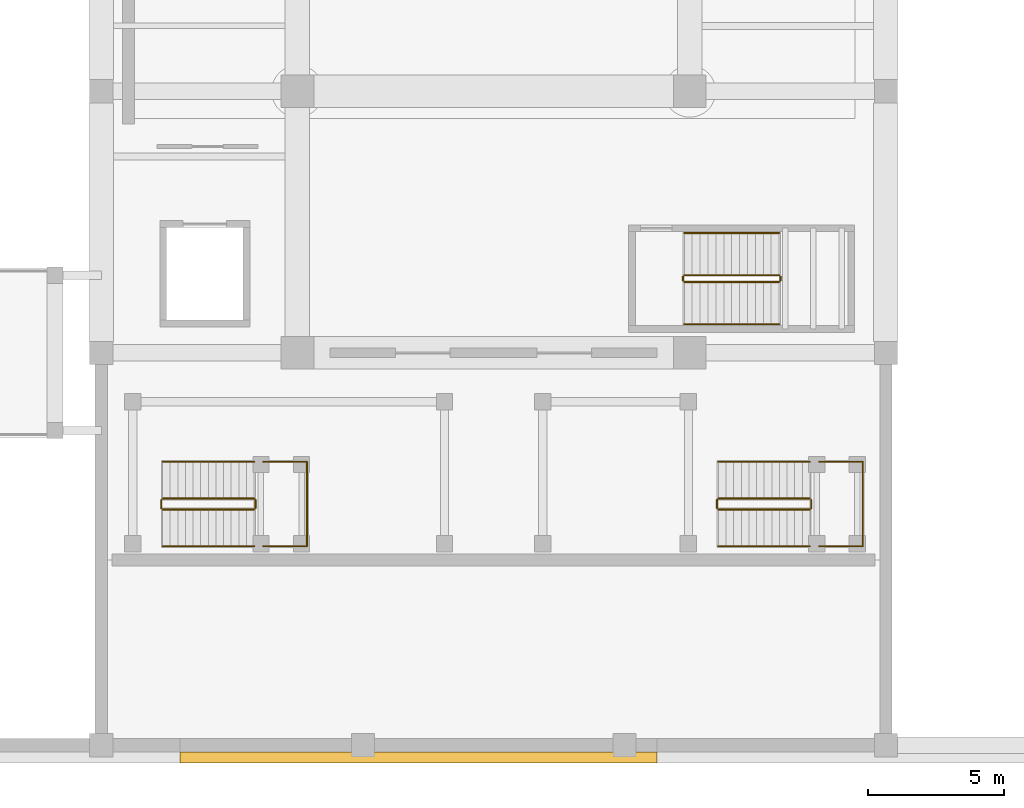
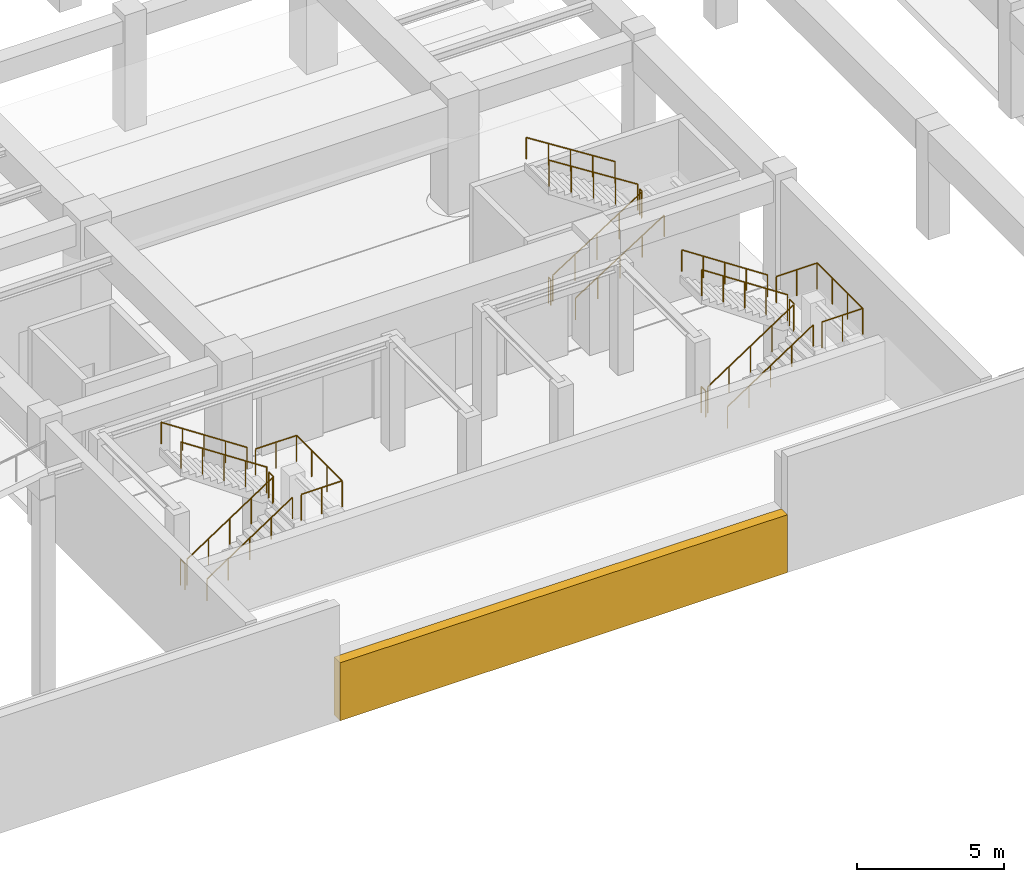
# One storey, part 36 of 45: 24 railings, 1 covering.
"""IFC4 building model written with IfcOpenShell, lengths in metres."""

from ifc_helpers import new_model, si_unit, direction, frame, origin, origin_2d, place, context, subcontext, project, spatial, polyline, circle, outline, extrude, material, layer, layer_set, type_object, element, save


model = new_model("IFC4")

# Units and contexts
model_context = context("Model", 3, precision=1e-05, world=origin(), true_north=direction((0.0, 1.0)))
body_context = subcontext(model_context, "Body", "Model", "MODEL_VIEW")
ifc_project = project(units=[si_unit("LENGTHUNIT", "METRE"), si_unit("AREAUNIT", "SQUARE_METRE"), si_unit("VOLUMEUNIT", "CUBIC_METRE"), si_unit("PLANEANGLEUNIT", "RADIAN"), si_unit("MASSUNIT", "GRAM", prefix="KILO")], contexts=[model_context])

# Site, building, storey
site_placement = place(None, origin())
site = spatial("IfcSite", under=ifc_project, at=site_placement, CompositionType="ELEMENT")
building_placement = place(site_placement, origin())
building = spatial("IfcBuilding", under=site, at=building_placement, Name="Mavantir Sound Aquarium", CompositionType="ELEMENT")
storey_placement = place(building_placement, frame((0.0, 0.0, -4.800048828125)))
storey = spatial("IfcBuildingStorey", under=building, at=storey_placement, Name="B1", CompositionType="ELEMENT", Elevation=-4.800048828125)

# Covering
ifc_material_1 = material(Name="Honed Coral-Limestone & Glazed Terracotta Rainscreen Cladding", Category="masonry")
ifc_layer = layer(ifc_material_1, 0.06005859375, Name="Honed Coral-Limestone & Glazed Terracotta Rainscreen Cladding")
ifc_layer_set = layer_set([ifc_layer], Name="Honed Coral-Limestone & Glazed Terracotta Rainscreen Cladding")
covering_type = type_object("IfcCoveringType", Name="COV-CLAD-TC", PredefinedType="CLADDING", material=ifc_layer_set)
covering_placement = place(storey_placement, origin())
element("IfcCovering", 1, at=covering_placement, inside=storey, type_object=covering_type, Name="B1 rusticated coral-stone plinth cladding 47", PredefinedType="CLADDING", context=body_context, shape_type="SweptSolid", body=[
    extrude(outline(polyline([(70.080078125, -0.25), (87.60009765625, -0.25), (87.60009765625, -0.659912109375), (70.080078125, -0.659912109375), (70.080078125, -0.25)])), origin(), (0.0, 0.0, 1.0), 2.400146484375),
])

# Railings
ifc_material_2 = material(Name="Stainless Steel 316 and Laminated Glass Guardrail", Category="steel")
railing_type_1 = type_object("IfcRailingType", Name="RL-GUARD-110", PredefinedType="GUARDRAIL", material=ifc_material_2)
railing_1_placement = place(storey_placement, frame((88.60009765625, 17.0, 0.1845703125)))
element("IfcRailing", 2, at=railing_1_placement, inside=storey, type_object=railing_type_1, Name="B1 ST11 stair guard 1", PredefinedType="GUARDRAIL", context=body_context, shape_type="SweptSolid", body=[
    extrude(circle(Radius=0.02392578125, at=origin_2d()), frame((0.0, 0.0, 1.076171875), z_axis=(0.843546938479, 0.0, 0.53705545578), x_axis=(0.0, 1.0, 0.0)), (0.0, 0.0, 1.0), 4.12548828125),
    extrude(circle(Radius=0.02099609375, at=origin_2d()), origin(), (0.0, 0.0, 1.0), 1.052001953125),
    extrude(circle(Radius=0.02099609375, at=origin_2d()), frame((0.8701171875, 0.0, 0.553955078125)), (0.0, 0.0, 1.0), 1.052001953125),
    extrude(circle(Radius=0.02099609375, at=origin_2d()), frame((1.739990234375, 0.0, 1.10791015625)), (0.0, 0.0, 1.0), 1.052001953125),
    extrude(circle(Radius=0.02099609375, at=origin_2d()), frame((2.60986328125, 0.0, 1.66162109375)), (0.0, 0.0, 1.0), 1.052001953125),
    extrude(circle(Radius=0.02099609375, at=origin_2d()), frame((3.47998046875, 0.0, 2.215576171875)), (0.0, 0.0, 1.0), 1.052001953125),
])
railing_2_placement = place(storey_placement, frame((92.1298828125, 17.050048828125, 2.400146484375)))
element("IfcRailing", 3, at=railing_2_placement, inside=storey, type_object=railing_type_1, Name="B1 ST11 stair guard 2", PredefinedType="GUARDRAIL", context=body_context, shape_type="SweptSolid", body=[
    extrude(circle(Radius=0.02392578125, at=origin_2d()), frame((0.0, 0.0, 1.076171875), z_axis=(0.0, 1.0, 0.0), x_axis=(-1.0, 0.0, 0.0)), (0.0, 0.0, 1.0), 0.14990234375),
    extrude(circle(Radius=0.02099609375, at=origin_2d()), origin(), (0.0, 0.0, 1.0), 1.052001953125),
    extrude(circle(Radius=0.02099609375, at=origin_2d()), frame((0.0, 0.14990234375, 0.0)), (0.0, 0.0, 1.0), 1.052001953125),
])
railing_3_placement = place(storey_placement, frame((92.080078125, 17.25, 2.584716796875)))
element("IfcRailing", 4, at=railing_3_placement, inside=storey, type_object=railing_type_1, Name="B1 ST11 stair guard 3", PredefinedType="GUARDRAIL", context=body_context, shape_type="SweptSolid", body=[
    extrude(circle(Radius=0.02392578125, at=origin_2d()), frame((0.0, 0.0, 1.076171875), z_axis=(-0.843573748531, 0.0, 0.537013343214), x_axis=(0.0, -1.0, 0.0)), (0.0, 0.0, 1.0), 4.125244140625),
    extrude(circle(Radius=0.02099609375, at=origin_2d()), origin(), (0.0, 0.0, 1.0), 1.052001953125),
    extrude(circle(Radius=0.02099609375, at=origin_2d()), frame((-0.8701171875, 0.0, 0.5537109375)), (0.0, 0.0, 1.0), 1.052001953125),
    extrude(circle(Radius=0.02099609375, at=origin_2d()), frame((-1.739990234375, 0.0, 1.107666015625)), (0.0, 0.0, 1.0), 1.052001953125),
    extrude(circle(Radius=0.02099609375, at=origin_2d()), frame((-2.60986328125, 0.0, 1.66162109375)), (0.0, 0.0, 1.0), 1.052001953125),
    extrude(circle(Radius=0.02099609375, at=origin_2d()), frame((-3.47998046875, 0.0, 2.21533203125)), (0.0, 0.0, 1.0), 1.052001953125),
])
railing_4_placement = place(storey_placement, frame((88.550048828125, 17.050048828125, 0.0)))
element("IfcRailing", 5, at=railing_4_placement, inside=storey, type_object=railing_type_1, Name="B1 ST11 stair guard 4", PredefinedType="GUARDRAIL", context=body_context, shape_type="SweptSolid", body=[
    extrude(circle(Radius=0.02392578125, at=origin_2d()), frame((0.0, 0.0, 1.076171875), z_axis=(0.0, 1.0, 0.0), x_axis=(-1.0, 0.0, 0.0)), (0.0, 0.0, 1.0), 0.14990234375),
    extrude(circle(Radius=0.02099609375, at=origin_2d()), origin(), (0.0, 0.0, 1.0), 1.052001953125),
    extrude(circle(Radius=0.02099609375, at=origin_2d()), frame((0.0, 0.14990234375, 0.0)), (0.0, 0.0, 1.0), 1.052001953125),
])
railing_5_placement = place(storey_placement, frame((69.449951171875, 8.64990234375, 0.1845703125)))
element("IfcRailing", 6, at=railing_5_placement, inside=storey, type_object=railing_type_1, Name="B1 ST13 stair guard 1", PredefinedType="GUARDRAIL", context=body_context, shape_type="SweptSolid", body=[
    extrude(circle(Radius=0.02392578125, at=origin_2d()), frame((0.0, 0.0, 1.076171875), z_axis=(0.834848600103, 0.0, 0.550479622607), x_axis=(0.0, 1.0, 0.0)), (0.0, 0.0, 1.0), 4.02490234375),
    extrude(circle(Radius=0.02099609375, at=origin_2d()), origin(), (0.0, 0.0, 1.0), 1.052001953125),
    extrude(circle(Radius=0.02099609375, at=origin_2d()), frame((0.840087890625, 0.0, 0.553955078125)), (0.0, 0.0, 1.0), 1.052001953125),
    extrude(circle(Radius=0.02099609375, at=origin_2d()), frame((1.68017578125, 0.0, 1.10791015625)), (0.0, 0.0, 1.0), 1.052001953125),
    extrude(circle(Radius=0.02099609375, at=origin_2d()), frame((2.52001953125, 0.0, 1.66162109375)), (0.0, 0.0, 1.0), 1.052001953125),
    extrude(circle(Radius=0.02099609375, at=origin_2d()), frame((3.360107421875, 0.0, 2.215576171875)), (0.0, 0.0, 1.0), 1.052001953125),
])
railing_6_placement = place(storey_placement, frame((72.860107421875, 8.699951171875, 2.400146484375)))
element("IfcRailing", 7, at=railing_6_placement, inside=storey, type_object=railing_type_1, Name="B1 ST13 stair guard 2", PredefinedType="GUARDRAIL", context=body_context, shape_type="SweptSolid", body=[
    extrude(circle(Radius=0.02392578125, at=origin_2d()), frame((0.0, 0.0, 1.076171875), z_axis=(0.0, 1.0, 0.0), x_axis=(-1.0, 0.0, 0.0)), (0.0, 0.0, 1.0), 0.300048828125),
    extrude(circle(Radius=0.02099609375, at=origin_2d()), origin(), (0.0, 0.0, 1.0), 1.052001953125),
    extrude(circle(Radius=0.02099609375, at=origin_2d()), frame((0.0, 0.300048828125, 0.0)), (0.0, 0.0, 1.0), 1.052001953125),
])
railing_7_placement = place(storey_placement, frame((72.81005859375, 9.050048828125, 2.584716796875)))
element("IfcRailing", 8, at=railing_7_placement, inside=storey, type_object=railing_type_1, Name="B1 ST13 stair guard 3", PredefinedType="GUARDRAIL", context=body_context, shape_type="SweptSolid", body=[
    extrude(circle(Radius=0.02392578125, at=origin_2d()), frame((0.0, 0.0, 1.076171875), z_axis=(-0.834876476806, 0.0, 0.550437342915), x_axis=(0.0, -1.0, 0.0)), (0.0, 0.0, 1.0), 4.024658203125),
    extrude(circle(Radius=0.02099609375, at=origin_2d()), origin(), (0.0, 0.0, 1.0), 1.052001953125),
    extrude(circle(Radius=0.02099609375, at=origin_2d()), frame((-0.840087890625, 0.0, 0.5537109375)), (0.0, 0.0, 1.0), 1.052001953125),
    extrude(circle(Radius=0.02099609375, at=origin_2d()), frame((-1.68017578125, 0.0, 1.107666015625)), (0.0, 0.0, 1.0), 1.052001953125),
    extrude(circle(Radius=0.02099609375, at=origin_2d()), frame((-2.52001953125, 0.0, 1.66162109375)), (0.0, 0.0, 1.0), 1.052001953125),
    extrude(circle(Radius=0.02099609375, at=origin_2d()), frame((-3.360107421875, 0.0, 2.21533203125)), (0.0, 0.0, 1.0), 1.052001953125),
])
railing_8_placement = place(storey_placement, frame((69.39990234375, 8.699951171875, 0.0)))
element("IfcRailing", 9, at=railing_8_placement, inside=storey, type_object=railing_type_1, Name="B1 ST13 stair guard 4", PredefinedType="GUARDRAIL", context=body_context, shape_type="SweptSolid", body=[
    extrude(circle(Radius=0.02392578125, at=origin_2d()), frame((0.0, 0.0, 1.076171875), z_axis=(0.0, 1.0, 0.0), x_axis=(-1.0, 0.0, 0.0)), (0.0, 0.0, 1.0), 0.300048828125),
    extrude(circle(Radius=0.02099609375, at=origin_2d()), origin(), (0.0, 0.0, 1.0), 1.052001953125),
    extrude(circle(Radius=0.02099609375, at=origin_2d()), frame((0.0, 0.300048828125, 0.0)), (0.0, 0.0, 1.0), 1.052001953125),
])
railing_9_placement = place(storey_placement, frame((74.75, 7.300048828125, 2.400146484375)))
element("IfcRailing", 10, at=railing_9_placement, inside=storey, type_object=railing_type_1, Name="Forecourt stair ST13 LDE guardrail", PredefinedType="GUARDRAIL", context=body_context, shape_type="SweptSolid", body=[
    extrude(circle(Radius=0.02392578125, at=origin_2d()), frame((0.0, 0.0, 1.076171875), z_axis=(0.0, 1.0, 0.0), x_axis=(-1.0, 0.0, 0.0)), (0.0, 0.0, 1.0), 3.099853515625),
    extrude(circle(Radius=0.02099609375, at=origin_2d()), origin(), (0.0, 0.0, 1.0), 1.052001953125),
    extrude(circle(Radius=0.02099609375, at=origin_2d()), frame((0.0, 1.033203125, 0.0)), (0.0, 0.0, 1.0), 1.052001953125),
    extrude(circle(Radius=0.02099609375, at=origin_2d()), frame((0.0, 2.066650390625, 0.0)), (0.0, 0.0, 1.0), 1.052001953125),
    extrude(circle(Radius=0.02099609375, at=origin_2d()), frame((0.0, 3.099853515625, 0.0)), (0.0, 0.0, 1.0), 1.052001953125),
])
for number, where, name in (
    (11, (73.14990234375, 10.39990234375, 2.400146484375), "Forecourt stair ST13 LDN guardrail"),
    (12, (73.14990234375, 7.300048828125, 2.400146484375), "Forecourt stair ST13 LDS guardrail"),
):
    element("IfcRailing", number, at=place(storey_placement, frame(where)), inside=storey, type_object=railing_type_1, Name=name, PredefinedType="GUARDRAIL", context=body_context, shape_type="SweptSolid", body=[
        extrude(circle(Radius=0.02392578125, at=origin_2d()), frame((0.0, 0.0, 1.076171875), z_axis=(1.0, 0.0, 0.0), x_axis=(0.0, 1.0, 0.0)), (0.0, 0.0, 1.0), 1.60009765625),
        extrude(circle(Radius=0.02099609375, at=origin_2d()), origin(), (0.0, 0.0, 1.0), 1.052001953125),
        extrude(circle(Radius=0.02099609375, at=origin_2d()), frame((0.800048828125, 0.0, 0.0)), (0.0, 0.0, 1.0), 1.052001953125),
        extrude(circle(Radius=0.02099609375, at=origin_2d()), frame((1.60009765625, 0.0, 0.0)), (0.0, 0.0, 1.0), 1.052001953125),
    ])
railing_10_placement = place(storey_placement, frame((89.85009765625, 8.64990234375, 0.1845703125)))
element("IfcRailing", 13, at=railing_10_placement, inside=storey, type_object=railing_type_1, Name="B1 ST14 stair guard 1", PredefinedType="GUARDRAIL", context=body_context, shape_type="SweptSolid", body=[
    extrude(circle(Radius=0.02392578125, at=origin_2d()), frame((0.0, 0.0, 1.076171875), z_axis=(0.83483021737, 0.0, 0.550507500554), x_axis=(0.0, 1.0, 0.0)), (0.0, 0.0, 1.0), 4.024658203125),
    extrude(circle(Radius=0.02099609375, at=origin_2d()), origin(), (0.0, 0.0, 1.0), 1.052001953125),
    extrude(circle(Radius=0.02099609375, at=origin_2d()), frame((0.83984375, 0.0, 0.553955078125)), (0.0, 0.0, 1.0), 1.052001953125),
    extrude(circle(Radius=0.02099609375, at=origin_2d()), frame((1.679931640625, 0.0, 1.10791015625)), (0.0, 0.0, 1.0), 1.052001953125),
    extrude(circle(Radius=0.02099609375, at=origin_2d()), frame((2.52001953125, 0.0, 1.66162109375)), (0.0, 0.0, 1.0), 1.052001953125),
    extrude(circle(Radius=0.02099609375, at=origin_2d()), frame((3.35986328125, 0.0, 2.215576171875)), (0.0, 0.0, 1.0), 1.052001953125),
])
railing_11_placement = place(storey_placement, frame((93.260009765625, 8.699951171875, 2.400146484375)))
element("IfcRailing", 14, at=railing_11_placement, inside=storey, type_object=railing_type_1, Name="B1 ST14 stair guard 2", PredefinedType="GUARDRAIL", context=body_context, shape_type="SweptSolid", body=[
    extrude(circle(Radius=0.02392578125, at=origin_2d()), frame((0.0, 0.0, 1.076171875), z_axis=(0.0, 1.0, 0.0), x_axis=(-1.0, 0.0, 0.0)), (0.0, 0.0, 1.0), 0.300048828125),
    extrude(circle(Radius=0.02099609375, at=origin_2d()), origin(), (0.0, 0.0, 1.0), 1.052001953125),
    extrude(circle(Radius=0.02099609375, at=origin_2d()), frame((0.0, 0.300048828125, 0.0)), (0.0, 0.0, 1.0), 1.052001953125),
])
railing_12_placement = place(storey_placement, frame((93.2099609375, 9.050048828125, 2.584716796875)))
element("IfcRailing", 15, at=railing_12_placement, inside=storey, type_object=railing_type_1, Name="B1 ST14 stair guard 3", PredefinedType="GUARDRAIL", context=body_context, shape_type="SweptSolid", body=[
    extrude(circle(Radius=0.02392578125, at=origin_2d()), frame((0.0, 0.0, 1.076171875), z_axis=(-0.834858096282, 0.0, 0.550465220583), x_axis=(0.0, -1.0, 0.0)), (0.0, 0.0, 1.0), 4.0244140625),
    extrude(circle(Radius=0.02099609375, at=origin_2d()), origin(), (0.0, 0.0, 1.0), 1.052001953125),
    extrude(circle(Radius=0.02099609375, at=origin_2d()), frame((-0.83984375, 0.0, 0.5537109375)), (0.0, 0.0, 1.0), 1.052001953125),
    extrude(circle(Radius=0.02099609375, at=origin_2d()), frame((-1.679931640625, 0.0, 1.107666015625)), (0.0, 0.0, 1.0), 1.052001953125),
    extrude(circle(Radius=0.02099609375, at=origin_2d()), frame((-2.52001953125, 0.0, 1.66162109375)), (0.0, 0.0, 1.0), 1.052001953125),
    extrude(circle(Radius=0.02099609375, at=origin_2d()), frame((-3.35986328125, 0.0, 2.21533203125)), (0.0, 0.0, 1.0), 1.052001953125),
])
railing_13_placement = place(storey_placement, frame((89.800048828125, 8.699951171875, 0.0)))
element("IfcRailing", 16, at=railing_13_placement, inside=storey, type_object=railing_type_1, Name="B1 ST14 stair guard 4", PredefinedType="GUARDRAIL", context=body_context, shape_type="SweptSolid", body=[
    extrude(circle(Radius=0.02392578125, at=origin_2d()), frame((0.0, 0.0, 1.076171875), z_axis=(0.0, 1.0, 0.0), x_axis=(-1.0, 0.0, 0.0)), (0.0, 0.0, 1.0), 0.300048828125),
    extrude(circle(Radius=0.02099609375, at=origin_2d()), origin(), (0.0, 0.0, 1.0), 1.052001953125),
    extrude(circle(Radius=0.02099609375, at=origin_2d()), frame((0.0, 0.300048828125, 0.0)), (0.0, 0.0, 1.0), 1.052001953125),
])
railing_14_placement = place(storey_placement, frame((95.14990234375, 7.300048828125, 2.400146484375)))
element("IfcRailing", 17, at=railing_14_placement, inside=storey, type_object=railing_type_1, Name="Forecourt stair ST14 LDE guardrail", PredefinedType="GUARDRAIL", context=body_context, shape_type="SweptSolid", body=[
    extrude(circle(Radius=0.02392578125, at=origin_2d()), frame((0.0, 0.0, 1.076171875), z_axis=(0.0, 1.0, 0.0), x_axis=(-1.0, 0.0, 0.0)), (0.0, 0.0, 1.0), 3.099853515625),
    extrude(circle(Radius=0.02099609375, at=origin_2d()), origin(), (0.0, 0.0, 1.0), 1.052001953125),
    extrude(circle(Radius=0.02099609375, at=origin_2d()), frame((0.0, 1.033203125, 0.0)), (0.0, 0.0, 1.0), 1.052001953125),
    extrude(circle(Radius=0.02099609375, at=origin_2d()), frame((0.0, 2.066650390625, 0.0)), (0.0, 0.0, 1.0), 1.052001953125),
    extrude(circle(Radius=0.02099609375, at=origin_2d()), frame((0.0, 3.099853515625, 0.0)), (0.0, 0.0, 1.0), 1.052001953125),
])
for number, where, name in (
    (18, (93.550048828125, 10.39990234375, 2.400146484375), "Forecourt stair ST14 LDN guardrail"),
    (19, (93.550048828125, 7.300048828125, 2.400146484375), "Forecourt stair ST14 LDS guardrail"),
):
    element("IfcRailing", number, at=place(storey_placement, frame(where)), inside=storey, type_object=railing_type_1, Name=name, PredefinedType="GUARDRAIL", context=body_context, shape_type="SweptSolid", body=[
        extrude(circle(Radius=0.02392578125, at=origin_2d()), frame((0.0, 0.0, 1.076171875), z_axis=(1.0, 0.0, 0.0), x_axis=(0.0, 1.0, 0.0)), (0.0, 0.0, 1.0), 1.599853515625),
        extrude(circle(Radius=0.02099609375, at=origin_2d()), origin(), (0.0, 0.0, 1.0), 1.052001953125),
        extrude(circle(Radius=0.02099609375, at=origin_2d()), frame((0.7998046875, 0.0, 0.0)), (0.0, 0.0, 1.0), 1.052001953125),
        extrude(circle(Radius=0.02099609375, at=origin_2d()), frame((1.599853515625, 0.0, 0.0)), (0.0, 0.0, 1.0), 1.052001953125),
    ])
ifc_material_3 = material(Name="Brushed Stainless Steel 316 Handrail", Category="steel")
railing_type_2 = type_object("IfcRailingType", Name="RL-HR-90", PredefinedType="HANDRAIL", material=ifc_material_3)
railing_15_placement = place(storey_placement, frame((88.60009765625, 15.449951171875, 0.36962890625)))
element("IfcRailing", 20, at=railing_15_placement, inside=storey, type_object=railing_type_2, Name="B1 ST11 stair handrail 1", PredefinedType="HANDRAIL", context=body_context, shape_type="SweptSolid", body=[
    extrude(circle(Radius=0.02392578125, at=origin_2d()), frame((0.0, 0.0, 0.89111328125), z_axis=(0.843573748531, 0.0, 0.537013343214), x_axis=(0.0, 1.0, 0.0)), (0.0, 0.0, 1.0), 4.125244140625),
    extrude(circle(Radius=0.02099609375, at=origin_2d()), origin(), (0.0, 0.0, 1.0), 0.866943359375),
    extrude(circle(Radius=0.02099609375, at=origin_2d()), frame((0.8701171875, 0.0, 0.5537109375)), (0.0, 0.0, 1.0), 0.866943359375),
    extrude(circle(Radius=0.02099609375, at=origin_2d()), frame((1.739990234375, 0.0, 1.107666015625)), (0.0, 0.0, 1.0), 0.866943359375),
    extrude(circle(Radius=0.02099609375, at=origin_2d()), frame((2.60986328125, 0.0, 1.66162109375)), (0.0, 0.0, 1.0), 0.866943359375),
    extrude(circle(Radius=0.02099609375, at=origin_2d()), frame((3.47998046875, 0.0, 2.21533203125)), (0.0, 0.0, 1.0), 0.866943359375),
])
railing_16_placement = place(storey_placement, frame((92.080078125, 18.800048828125, 2.769775390625)))
element("IfcRailing", 21, at=railing_16_placement, inside=storey, type_object=railing_type_2, Name="B1 ST11 stair handrail 2", PredefinedType="HANDRAIL", context=body_context, shape_type="SweptSolid", body=[
    extrude(circle(Radius=0.02392578125, at=origin_2d()), frame((0.0, 0.0, 0.89111328125), z_axis=(-0.843573748531, 0.0, 0.537013343214), x_axis=(0.0, -1.0, 0.0)), (0.0, 0.0, 1.0), 4.125244140625),
    extrude(circle(Radius=0.02099609375, at=origin_2d()), origin(), (0.0, 0.0, 1.0), 0.866943359375),
    extrude(circle(Radius=0.02099609375, at=origin_2d()), frame((-0.8701171875, 0.0, 0.5537109375)), (0.0, 0.0, 1.0), 0.866943359375),
    extrude(circle(Radius=0.02099609375, at=origin_2d()), frame((-1.739990234375, 0.0, 1.107666015625)), (0.0, 0.0, 1.0), 0.866943359375),
    extrude(circle(Radius=0.02099609375, at=origin_2d()), frame((-2.60986328125, 0.0, 1.66162109375)), (0.0, 0.0, 1.0), 0.866943359375),
    extrude(circle(Radius=0.02099609375, at=origin_2d()), frame((-3.47998046875, 0.0, 2.21533203125)), (0.0, 0.0, 1.0), 0.866943359375),
])
railing_17_placement = place(storey_placement, frame((69.449951171875, 7.300048828125, 0.36962890625)))
element("IfcRailing", 22, at=railing_17_placement, inside=storey, type_object=railing_type_2, Name="B1 ST13 stair handrail 1", PredefinedType="HANDRAIL", context=body_context, shape_type="SweptSolid", body=[
    extrude(circle(Radius=0.02392578125, at=origin_2d()), frame((0.0, 0.0, 0.89111328125), z_axis=(0.834876476806, 0.0, 0.550437342915), x_axis=(0.0, 1.0, 0.0)), (0.0, 0.0, 1.0), 4.024658203125),
    extrude(circle(Radius=0.02099609375, at=origin_2d()), origin(), (0.0, 0.0, 1.0), 0.866943359375),
    extrude(circle(Radius=0.02099609375, at=origin_2d()), frame((0.840087890625, 0.0, 0.5537109375)), (0.0, 0.0, 1.0), 0.866943359375),
    extrude(circle(Radius=0.02099609375, at=origin_2d()), frame((1.68017578125, 0.0, 1.107666015625)), (0.0, 0.0, 1.0), 0.866943359375),
    extrude(circle(Radius=0.02099609375, at=origin_2d()), frame((2.52001953125, 0.0, 1.66162109375)), (0.0, 0.0, 1.0), 0.866943359375),
    extrude(circle(Radius=0.02099609375, at=origin_2d()), frame((3.360107421875, 0.0, 2.21533203125)), (0.0, 0.0, 1.0), 0.866943359375),
])
railing_18_placement = place(storey_placement, frame((72.81005859375, 10.39990234375, 2.769775390625)))
element("IfcRailing", 23, at=railing_18_placement, inside=storey, type_object=railing_type_2, Name="B1 ST13 stair handrail 2", PredefinedType="HANDRAIL", context=body_context, shape_type="SweptSolid", body=[
    extrude(circle(Radius=0.02392578125, at=origin_2d()), frame((0.0, 0.0, 0.89111328125), z_axis=(-0.834876476806, 0.0, 0.550437342915), x_axis=(0.0, -1.0, 0.0)), (0.0, 0.0, 1.0), 4.024658203125),
    extrude(circle(Radius=0.02099609375, at=origin_2d()), origin(), (0.0, 0.0, 1.0), 0.866943359375),
    extrude(circle(Radius=0.02099609375, at=origin_2d()), frame((-0.840087890625, 0.0, 0.5537109375)), (0.0, 0.0, 1.0), 0.866943359375),
    extrude(circle(Radius=0.02099609375, at=origin_2d()), frame((-1.68017578125, 0.0, 1.107666015625)), (0.0, 0.0, 1.0), 0.866943359375),
    extrude(circle(Radius=0.02099609375, at=origin_2d()), frame((-2.52001953125, 0.0, 1.66162109375)), (0.0, 0.0, 1.0), 0.866943359375),
    extrude(circle(Radius=0.02099609375, at=origin_2d()), frame((-3.360107421875, 0.0, 2.21533203125)), (0.0, 0.0, 1.0), 0.866943359375),
])
railing_19_placement = place(storey_placement, frame((89.85009765625, 7.300048828125, 0.36962890625)))
element("IfcRailing", 24, at=railing_19_placement, inside=storey, type_object=railing_type_2, Name="B1 ST14 stair handrail 1", PredefinedType="HANDRAIL", context=body_context, shape_type="SweptSolid", body=[
    extrude(circle(Radius=0.02392578125, at=origin_2d()), frame((0.0, 0.0, 0.89111328125), z_axis=(0.834858096282, 0.0, 0.550465220583), x_axis=(0.0, 1.0, 0.0)), (0.0, 0.0, 1.0), 4.0244140625),
    extrude(circle(Radius=0.02099609375, at=origin_2d()), origin(), (0.0, 0.0, 1.0), 0.866943359375),
    extrude(circle(Radius=0.02099609375, at=origin_2d()), frame((0.83984375, 0.0, 0.5537109375)), (0.0, 0.0, 1.0), 0.866943359375),
    extrude(circle(Radius=0.02099609375, at=origin_2d()), frame((1.679931640625, 0.0, 1.107666015625)), (0.0, 0.0, 1.0), 0.866943359375),
    extrude(circle(Radius=0.02099609375, at=origin_2d()), frame((2.52001953125, 0.0, 1.66162109375)), (0.0, 0.0, 1.0), 0.866943359375),
    extrude(circle(Radius=0.02099609375, at=origin_2d()), frame((3.35986328125, 0.0, 2.21533203125)), (0.0, 0.0, 1.0), 0.866943359375),
])
railing_20_placement = place(storey_placement, frame((93.2099609375, 10.39990234375, 2.769775390625)))
element("IfcRailing", 25, at=railing_20_placement, inside=storey, type_object=railing_type_2, Name="B1 ST14 stair handrail 2", PredefinedType="HANDRAIL", context=body_context, shape_type="SweptSolid", body=[
    extrude(circle(Radius=0.02392578125, at=origin_2d()), frame((0.0, 0.0, 0.89111328125), z_axis=(-0.834858096282, 0.0, 0.550465220583), x_axis=(0.0, -1.0, 0.0)), (0.0, 0.0, 1.0), 4.0244140625),
    extrude(circle(Radius=0.02099609375, at=origin_2d()), origin(), (0.0, 0.0, 1.0), 0.866943359375),
    extrude(circle(Radius=0.02099609375, at=origin_2d()), frame((-0.83984375, 0.0, 0.5537109375)), (0.0, 0.0, 1.0), 0.866943359375),
    extrude(circle(Radius=0.02099609375, at=origin_2d()), frame((-1.679931640625, 0.0, 1.107666015625)), (0.0, 0.0, 1.0), 0.866943359375),
    extrude(circle(Radius=0.02099609375, at=origin_2d()), frame((-2.52001953125, 0.0, 1.66162109375)), (0.0, 0.0, 1.0), 0.866943359375),
    extrude(circle(Radius=0.02099609375, at=origin_2d()), frame((-3.35986328125, 0.0, 2.21533203125)), (0.0, 0.0, 1.0), 0.866943359375),
])

save(model, "model.ifc")
